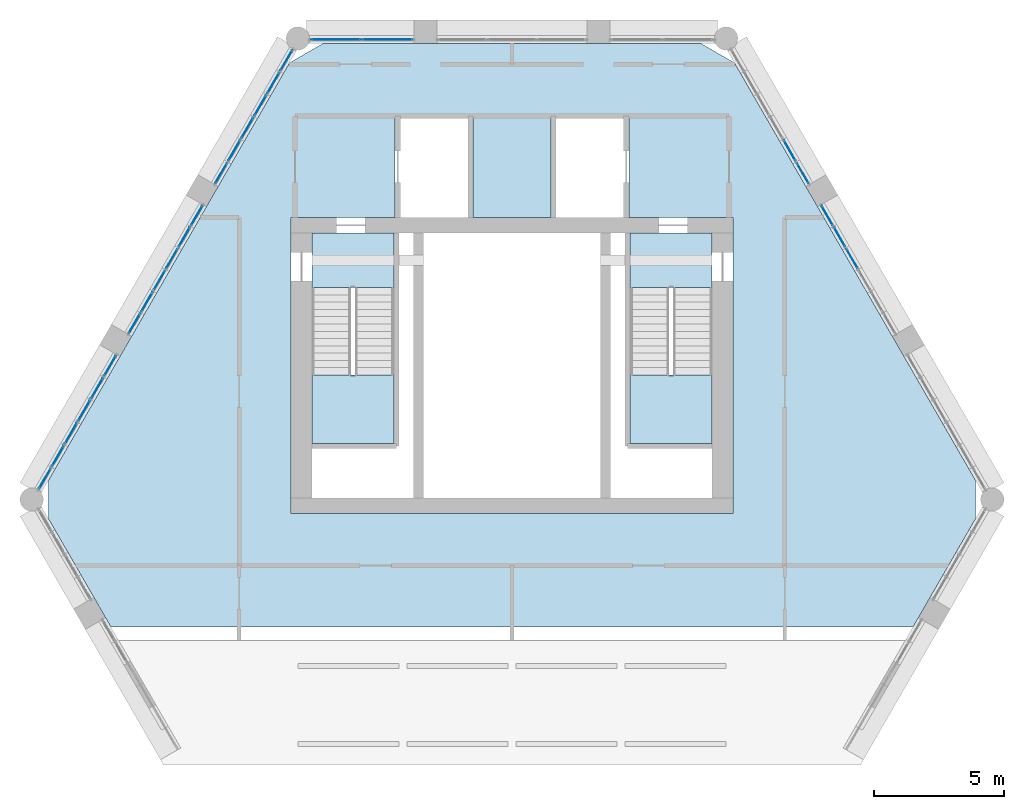
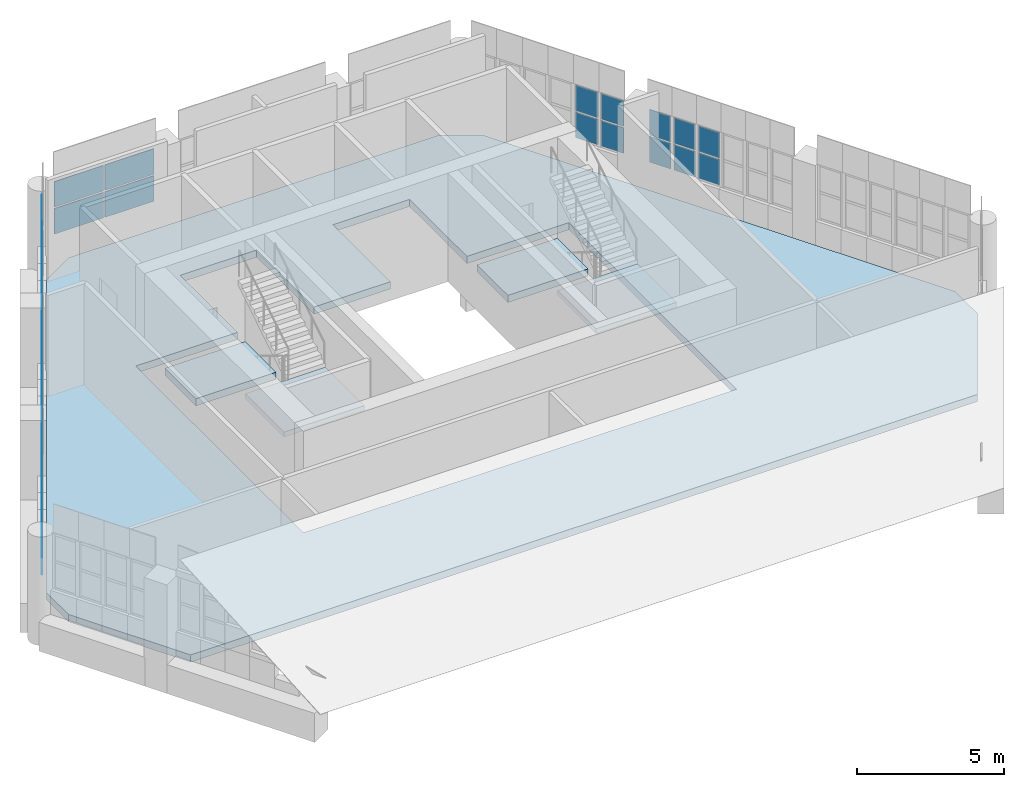
# One storey, part 16 of 23: 50 plates, 5 slabs, 26 elements without a shape of their own.
"""IFC4 building model written with IfcOpenShell, lengths in metres."""

from ifc_helpers import new_model, si_unit, direction, frame, origin, origin_2d, place, context, subcontext, project, spatial, polyline, rectangle, outline, extrude, material, layer, layer_set, type_object, element, aggregate, save


model = new_model("IFC4")

# Units and contexts
model_context = context("Model", 3, precision=1e-05, world=origin(), true_north=direction((0.0, 1.0)))
body_context = subcontext(model_context, "Body", "Model", "MODEL_VIEW")
ifc_project = project(units=[si_unit("LENGTHUNIT", "METRE"), si_unit("AREAUNIT", "SQUARE_METRE"), si_unit("VOLUMEUNIT", "CUBIC_METRE"), si_unit("PLANEANGLEUNIT", "RADIAN"), si_unit("MASSUNIT", "GRAM", prefix="KILO")], contexts=[model_context])

# Site, building, storey
site_placement = place(None, origin())
site = spatial("IfcSite", under=ifc_project, at=site_placement, CompositionType="ELEMENT")
building_placement = place(site_placement, origin())
building = spatial("IfcBuilding", under=site, at=building_placement, Name="Ostrander Bayou Hotel Tower", CompositionType="ELEMENT")
storey_placement = place(building_placement, frame((0.0, 0.0, 279.5)))
storey = spatial("IfcBuildingStorey", under=building, at=storey_placement, Name="L69", CompositionType="ELEMENT", Elevation=279.5)

# Curtain wall, plates
ifc_material_1 = material(Name="Aluminium and clear glass", Category="aluminium")
curtain_wall_type = type_object("IfcCurtainWallType", Name="CW-CROWN glazed wall", PredefinedType="NOTDEFINED", material=ifc_material_1)
curtain_wall_1_placement = place(storey_placement, origin())
curtain_wall_1 = element("IfcCurtainWall", 1, at=curtain_wall_1_placement, inside=storey, type_object=curtain_wall_type, Name="CW-CROWN L69:N-3", PredefinedType="NOTDEFINED")
ifc_material_2 = material(Name="Clear laminated glass", Category="glass")
ifc_layer_1 = layer(ifc_material_2, 0.028076171875)
ifc_layer_set_1 = layer_set([ifc_layer_1], Name="CW-CR glazing panel 28 mm")
plate_type = type_object("IfcPlateType", Name="CW-CR glazing panel 28 mm", PredefinedType="CURTAIN_PANEL", material=ifc_layer_set_1)
plate_1_placement = place(storey_placement, frame((-4.798583984375, 16.550048828125, 1.06005859375), z_axis=(0.0, 0.0, 1.0), x_axis=(-1.0, 0.0, 0.0)))
plate_1 = element("IfcPlate", 2, at=plate_1_placement, type_object=plate_type, Name="CW-CROWN panel 1.1", PredefinedType="CURTAIN_PANEL", context=body_context, shape_type="SweptSolid", body=[
    extrude(rectangle(XDim=1.918212890625, YDim=0.028076171875, at=origin_2d()), origin(), (0.0, 0.0, 1.0), 1.06005859375),
])
plate_2_placement = place(storey_placement, frame((-4.798583984375, 16.550048828125, 2.179931640625), z_axis=(0.0, 0.0, 1.0), x_axis=(-1.0, 0.0, 0.0)))
plate_2 = element("IfcPlate", 3, at=plate_2_placement, type_object=plate_type, Name="CW-CROWN panel 1.2", PredefinedType="CURTAIN_PANEL", context=body_context, shape_type="SweptSolid", body=[
    extrude(rectangle(XDim=1.918212890625, YDim=0.028076171875, at=origin_2d()), origin(), (0.0, 0.0, 1.0), 1.06005859375),
])
plate_3_placement = place(storey_placement, frame((-6.77685546875, 16.550048828125, 1.06005859375), z_axis=(0.0, 0.0, 1.0), x_axis=(-1.0, 0.0, 0.0)))
plate_3 = element("IfcPlate", 4, at=plate_3_placement, type_object=plate_type, Name="CW-CROWN panel 2.1", PredefinedType="CURTAIN_PANEL", context=body_context, shape_type="SweptSolid", body=[
    extrude(rectangle(XDim=1.918212890625, YDim=0.028076171875, at=origin_2d()), origin(), (0.0, 0.0, 1.0), 1.06005859375),
])
plate_4_placement = place(storey_placement, frame((-6.77685546875, 16.550048828125, 2.179931640625), z_axis=(0.0, 0.0, 1.0), x_axis=(-1.0, 0.0, 0.0)))
plate_4 = element("IfcPlate", 5, at=plate_4_placement, type_object=plate_type, Name="CW-CROWN panel 2.2", PredefinedType="CURTAIN_PANEL", context=body_context, shape_type="SweptSolid", body=[
    extrude(rectangle(XDim=1.918212890625, YDim=0.028076171875, at=origin_2d()), origin(), (0.0, 0.0, 1.0), 1.06005859375),
])
aggregate(curtain_wall_1, [plate_1, plate_2, plate_3, plate_4])

curtain_wall_2_placement = place(storey_placement, origin())
curtain_wall_2 = element("IfcCurtainWall", 6, at=curtain_wall_2_placement, inside=storey, type_object=curtain_wall_type, Name="CW-CROWN L69:NW-1-1", PredefinedType="NOTDEFINED")
plate_5_placement = place(storey_placement, frame((-8.682861328125, 15.748046875, 1.06005859375), z_axis=(0.0, 0.0, 1.0), x_axis=(-0.499998569184, -0.866026229865, 0.0)))
plate_5 = element("IfcPlate", 7, at=plate_5_placement, type_object=plate_type, Name="CW-CROWN panel 1.1", PredefinedType="CURTAIN_PANEL", context=body_context, shape_type="SweptSolid", body=[
    extrude(rectangle(XDim=0.88330078125, YDim=0.028076171875, at=origin_2d()), origin(), (0.0, 0.0, 1.0), 1.06005859375),
])
plate_6_placement = place(storey_placement, frame((-8.682861328125, 15.748046875, 2.179931640625), z_axis=(0.0, 0.0, 1.0), x_axis=(-0.499998569184, -0.866026229865, 0.0)))
plate_6 = element("IfcPlate", 8, at=plate_6_placement, type_object=plate_type, Name="CW-CROWN panel 1.2", PredefinedType="CURTAIN_PANEL", context=body_context, shape_type="SweptSolid", body=[
    extrude(rectangle(XDim=0.88330078125, YDim=0.028076171875, at=origin_2d()), origin(), (0.0, 0.0, 1.0), 1.06005859375),
])
aggregate(curtain_wall_2, [plate_5, plate_6])

curtain_wall_3_placement = place(storey_placement, origin())
curtain_wall_3 = element("IfcCurtainWall", 9, at=curtain_wall_3_placement, inside=storey, type_object=curtain_wall_type, Name="CW-CROWN L69:NW-1-2", PredefinedType="NOTDEFINED")
plate_7_placement = place(storey_placement, frame((-9.184326171875, 14.879150390625, 1.06005859375), z_axis=(0.0, 0.0, 1.0), x_axis=(-0.50004173523, -0.866001306597, 0.0)))
plate_7 = element("IfcPlate", 10, at=plate_7_placement, type_object=plate_type, Name="CW-CROWN panel 1.1", PredefinedType="CURTAIN_PANEL", context=body_context, shape_type="SweptSolid", body=[
    extrude(rectangle(XDim=0.883056640625, YDim=0.028076171875, at=origin_2d()), origin(), (0.0, 0.0, 1.0), 1.06005859375),
])
plate_8_placement = place(storey_placement, frame((-9.184326171875, 14.879150390625, 2.179931640625), z_axis=(0.0, 0.0, 1.0), x_axis=(-0.50004173523, -0.866001306597, 0.0)))
plate_8 = element("IfcPlate", 11, at=plate_8_placement, type_object=plate_type, Name="CW-CROWN panel 1.2", PredefinedType="CURTAIN_PANEL", context=body_context, shape_type="SweptSolid", body=[
    extrude(rectangle(XDim=0.883056640625, YDim=0.028076171875, at=origin_2d()), origin(), (0.0, 0.0, 1.0), 1.06005859375),
])
aggregate(curtain_wall_3, [plate_7, plate_8])

curtain_wall_4_placement = place(storey_placement, origin())
curtain_wall_4 = element("IfcCurtainWall", 12, at=curtain_wall_4_placement, inside=storey, type_object=curtain_wall_type, Name="CW-CROWN L69:NW-1-3", PredefinedType="NOTDEFINED")
plate_9_placement = place(storey_placement, frame((-9.68603515625, 14.010498046875, 1.06005859375), z_axis=(0.0, 0.0, 1.0), x_axis=(-0.499998569184, -0.866026229865, 0.0)))
plate_9 = element("IfcPlate", 13, at=plate_9_placement, type_object=plate_type, Name="CW-CROWN panel 1.1", PredefinedType="CURTAIN_PANEL", context=body_context, shape_type="SweptSolid", body=[
    extrude(rectangle(XDim=0.88330078125, YDim=0.028076171875, at=origin_2d()), origin(), (0.0, 0.0, 1.0), 1.06005859375),
])
plate_10_placement = place(storey_placement, frame((-9.68603515625, 14.010498046875, 2.179931640625), z_axis=(0.0, 0.0, 1.0), x_axis=(-0.499998569184, -0.866026229865, 0.0)))
plate_10 = element("IfcPlate", 14, at=plate_10_placement, type_object=plate_type, Name="CW-CROWN panel 1.2", PredefinedType="CURTAIN_PANEL", context=body_context, shape_type="SweptSolid", body=[
    extrude(rectangle(XDim=0.88330078125, YDim=0.028076171875, at=origin_2d()), origin(), (0.0, 0.0, 1.0), 1.06005859375),
])
aggregate(curtain_wall_4, [plate_9, plate_10])

curtain_wall_5_placement = place(storey_placement, origin())
curtain_wall_5 = element("IfcCurtainWall", 15, at=curtain_wall_5_placement, inside=storey, type_object=curtain_wall_type, Name="CW-CROWN L69:NW-1-4", PredefinedType="NOTDEFINED")
plate_11_placement = place(storey_placement, frame((-10.1875, 13.1416015625, 1.06005859375), z_axis=(0.0, 0.0, 1.0), x_axis=(-0.499923802893, -0.866069391736, 0.0)))
plate_11 = element("IfcPlate", 16, at=plate_11_placement, type_object=plate_type, Name="CW-CROWN panel 1.1", PredefinedType="CURTAIN_PANEL", context=body_context, shape_type="SweptSolid", body=[
    extrude(rectangle(XDim=0.883056640625, YDim=0.028076171875, at=origin_2d()), origin(), (0.0, 0.0, 1.0), 1.06005859375),
])
plate_12_placement = place(storey_placement, frame((-10.1875, 13.1416015625, 2.179931640625), z_axis=(0.0, 0.0, 1.0), x_axis=(-0.499923802893, -0.866069391736, 0.0)))
plate_12 = element("IfcPlate", 17, at=plate_12_placement, type_object=plate_type, Name="CW-CROWN panel 1.2", PredefinedType="CURTAIN_PANEL", context=body_context, shape_type="SweptSolid", body=[
    extrude(rectangle(XDim=0.883056640625, YDim=0.028076171875, at=origin_2d()), origin(), (0.0, 0.0, 1.0), 1.06005859375),
])
aggregate(curtain_wall_5, [plate_11, plate_12])

curtain_wall_6_placement = place(storey_placement, origin())
curtain_wall_6 = element("IfcCurtainWall", 18, at=curtain_wall_6_placement, inside=storey, type_object=curtain_wall_type, Name="CW-CROWN L69:NW-1-5", PredefinedType="NOTDEFINED")
plate_13_placement = place(storey_placement, frame((-10.689208984375, 12.27294921875, 1.06005859375), z_axis=(0.0, 0.0, 1.0), x_axis=(-0.50004173523, -0.866001306597, 0.0)))
plate_13 = element("IfcPlate", 19, at=plate_13_placement, type_object=plate_type, Name="CW-CROWN panel 1.1", PredefinedType="CURTAIN_PANEL", context=body_context, shape_type="SweptSolid", body=[
    extrude(rectangle(XDim=0.883056640625, YDim=0.028076171875, at=origin_2d()), origin(), (0.0, 0.0, 1.0), 1.06005859375),
])
plate_14_placement = place(storey_placement, frame((-10.689208984375, 12.27294921875, 2.179931640625), z_axis=(0.0, 0.0, 1.0), x_axis=(-0.50004173523, -0.866001306597, 0.0)))
plate_14 = element("IfcPlate", 20, at=plate_14_placement, type_object=plate_type, Name="CW-CROWN panel 1.2", PredefinedType="CURTAIN_PANEL", context=body_context, shape_type="SweptSolid", body=[
    extrude(rectangle(XDim=0.883056640625, YDim=0.028076171875, at=origin_2d()), origin(), (0.0, 0.0, 1.0), 1.06005859375),
])
aggregate(curtain_wall_6, [plate_13, plate_14])

curtain_wall_7_placement = place(storey_placement, origin())
curtain_wall_7 = element("IfcCurtainWall", 21, at=curtain_wall_7_placement, inside=storey, type_object=curtain_wall_type, Name="CW-CROWN L69:NW-1-6", PredefinedType="NOTDEFINED")
plate_15_placement = place(storey_placement, frame((-11.190673828125, 11.404296875, 1.06005859375), z_axis=(0.0, 0.0, 1.0), x_axis=(-0.499998569184, -0.866026229865, 0.0)))
plate_15 = element("IfcPlate", 22, at=plate_15_placement, type_object=plate_type, Name="CW-CROWN panel 1.1", PredefinedType="CURTAIN_PANEL", context=body_context, shape_type="SweptSolid", body=[
    extrude(rectangle(XDim=0.88330078125, YDim=0.028076171875, at=origin_2d()), origin(), (0.0, 0.0, 1.0), 1.06005859375),
])
plate_16_placement = place(storey_placement, frame((-11.190673828125, 11.404296875, 2.179931640625), z_axis=(0.0, 0.0, 1.0), x_axis=(-0.499998569184, -0.866026229865, 0.0)))
plate_16 = element("IfcPlate", 23, at=plate_16_placement, type_object=plate_type, Name="CW-CROWN panel 1.2", PredefinedType="CURTAIN_PANEL", context=body_context, shape_type="SweptSolid", body=[
    extrude(rectangle(XDim=0.88330078125, YDim=0.028076171875, at=origin_2d()), origin(), (0.0, 0.0, 1.0), 1.06005859375),
])
aggregate(curtain_wall_7, [plate_15, plate_16])

curtain_wall_8_placement = place(storey_placement, origin())
curtain_wall_8 = element("IfcCurtainWall", 24, at=curtain_wall_8_placement, inside=storey, type_object=curtain_wall_type, Name="CW-CROWN L69:NW-2-1", PredefinedType="NOTDEFINED")
plate_17_placement = place(storey_placement, frame((-12.13134765625, 9.77490234375, 1.06005859375), z_axis=(0.0, 0.0, 1.0), x_axis=(-0.500005045044, -0.866022491007, 0.0)))
plate_17 = element("IfcPlate", 25, at=plate_17_placement, type_object=plate_type, Name="CW-CROWN panel 1.1", PredefinedType="CURTAIN_PANEL", context=body_context, shape_type="SweptSolid", body=[
    extrude(rectangle(XDim=0.83984375, YDim=0.028076171875, at=origin_2d()), origin(), (0.0, 0.0, 1.0), 1.06005859375),
])
plate_18_placement = place(storey_placement, frame((-12.13134765625, 9.77490234375, 2.179931640625), z_axis=(0.0, 0.0, 1.0), x_axis=(-0.500005045044, -0.866022491007, 0.0)))
plate_18 = element("IfcPlate", 26, at=plate_18_placement, type_object=plate_type, Name="CW-CROWN panel 1.2", PredefinedType="CURTAIN_PANEL", context=body_context, shape_type="SweptSolid", body=[
    extrude(rectangle(XDim=0.83984375, YDim=0.028076171875, at=origin_2d()), origin(), (0.0, 0.0, 1.0), 1.06005859375),
])
aggregate(curtain_wall_8, [plate_17, plate_18])

curtain_wall_9_placement = place(storey_placement, origin())
curtain_wall_9 = element("IfcCurtainWall", 27, at=curtain_wall_9_placement, inside=storey, type_object=curtain_wall_type, Name="CW-CROWN L69:NW-2-2", PredefinedType="NOTDEFINED")
plate_19_placement = place(storey_placement, frame((-12.611328125, 8.943603515625, 1.06005859375), z_axis=(0.0, 0.0, 1.0), x_axis=(-0.500005045044, -0.866022491007, 0.0)))
plate_19 = element("IfcPlate", 28, at=plate_19_placement, type_object=plate_type, Name="CW-CROWN panel 1.1", PredefinedType="CURTAIN_PANEL", context=body_context, shape_type="SweptSolid", body=[
    extrude(rectangle(XDim=0.83984375, YDim=0.028076171875, at=origin_2d()), origin(), (0.0, 0.0, 1.0), 1.06005859375),
])
plate_20_placement = place(storey_placement, frame((-12.611328125, 8.943603515625, 2.179931640625), z_axis=(0.0, 0.0, 1.0), x_axis=(-0.500005045044, -0.866022491007, 0.0)))
plate_20 = element("IfcPlate", 29, at=plate_20_placement, type_object=plate_type, Name="CW-CROWN panel 1.2", PredefinedType="CURTAIN_PANEL", context=body_context, shape_type="SweptSolid", body=[
    extrude(rectangle(XDim=0.83984375, YDim=0.028076171875, at=origin_2d()), origin(), (0.0, 0.0, 1.0), 1.06005859375),
])
aggregate(curtain_wall_9, [plate_19, plate_20])

curtain_wall_10_placement = place(storey_placement, origin())
curtain_wall_10 = element("IfcCurtainWall", 30, at=curtain_wall_10_placement, inside=storey, type_object=curtain_wall_type, Name="CW-CROWN L69:NW-2-3", PredefinedType="NOTDEFINED")
plate_21_placement = place(storey_placement, frame((-13.09130859375, 8.1123046875, 1.06005859375), z_axis=(0.0, 0.0, 1.0), x_axis=(-0.500005045044, -0.866022491007, 0.0)))
plate_21 = element("IfcPlate", 31, at=plate_21_placement, type_object=plate_type, Name="CW-CROWN panel 1.1", PredefinedType="CURTAIN_PANEL", context=body_context, shape_type="SweptSolid", body=[
    extrude(rectangle(XDim=0.83984375, YDim=0.028076171875, at=origin_2d()), origin(), (0.0, 0.0, 1.0), 1.06005859375),
])
plate_22_placement = place(storey_placement, frame((-13.09130859375, 8.1123046875, 2.179931640625), z_axis=(0.0, 0.0, 1.0), x_axis=(-0.500005045044, -0.866022491007, 0.0)))
plate_22 = element("IfcPlate", 32, at=plate_22_placement, type_object=plate_type, Name="CW-CROWN panel 1.2", PredefinedType="CURTAIN_PANEL", context=body_context, shape_type="SweptSolid", body=[
    extrude(rectangle(XDim=0.83984375, YDim=0.028076171875, at=origin_2d()), origin(), (0.0, 0.0, 1.0), 1.06005859375),
])
aggregate(curtain_wall_10, [plate_21, plate_22])

curtain_wall_11_placement = place(storey_placement, origin())
curtain_wall_11 = element("IfcCurtainWall", 33, at=curtain_wall_11_placement, inside=storey, type_object=curtain_wall_type, Name="CW-CROWN L69:NW-2-4", PredefinedType="NOTDEFINED")
plate_23_placement = place(storey_placement, frame((-13.571044921875, 7.28125, 1.06005859375), z_axis=(0.0, 0.0, 1.0), x_axis=(-0.499959932788, -0.866048535364, 0.0)))
plate_23 = element("IfcPlate", 34, at=plate_23_placement, type_object=plate_type, Name="CW-CROWN panel 1.1", PredefinedType="CURTAIN_PANEL", context=body_context, shape_type="SweptSolid", body=[
    extrude(rectangle(XDim=0.83984375, YDim=0.028076171875, at=origin_2d()), origin(), (0.0, 0.0, 1.0), 1.06005859375),
])
plate_24_placement = place(storey_placement, frame((-13.571044921875, 7.28125, 2.179931640625), z_axis=(0.0, 0.0, 1.0), x_axis=(-0.499959932788, -0.866048535364, 0.0)))
plate_24 = element("IfcPlate", 35, at=plate_24_placement, type_object=plate_type, Name="CW-CROWN panel 1.2", PredefinedType="CURTAIN_PANEL", context=body_context, shape_type="SweptSolid", body=[
    extrude(rectangle(XDim=0.83984375, YDim=0.028076171875, at=origin_2d()), origin(), (0.0, 0.0, 1.0), 1.06005859375),
])
aggregate(curtain_wall_11, [plate_23, plate_24])

curtain_wall_12_placement = place(storey_placement, origin())
curtain_wall_12 = element("IfcCurtainWall", 36, at=curtain_wall_12_placement, inside=storey, type_object=curtain_wall_type, Name="CW-CROWN L69:NW-2-5", PredefinedType="NOTDEFINED")
plate_25_placement = place(storey_placement, frame((-14.051025390625, 6.449951171875, 1.06005859375), z_axis=(0.0, 0.0, 1.0), x_axis=(-0.500005045044, -0.866022491007, 0.0)))
plate_25 = element("IfcPlate", 37, at=plate_25_placement, type_object=plate_type, Name="CW-CROWN panel 1.1", PredefinedType="CURTAIN_PANEL", context=body_context, shape_type="SweptSolid", body=[
    extrude(rectangle(XDim=0.83984375, YDim=0.028076171875, at=origin_2d()), origin(), (0.0, 0.0, 1.0), 1.06005859375),
])
plate_26_placement = place(storey_placement, frame((-14.051025390625, 6.449951171875, 2.179931640625), z_axis=(0.0, 0.0, 1.0), x_axis=(-0.500005045044, -0.866022491007, 0.0)))
plate_26 = element("IfcPlate", 38, at=plate_26_placement, type_object=plate_type, Name="CW-CROWN panel 1.2", PredefinedType="CURTAIN_PANEL", context=body_context, shape_type="SweptSolid", body=[
    extrude(rectangle(XDim=0.83984375, YDim=0.028076171875, at=origin_2d()), origin(), (0.0, 0.0, 1.0), 1.06005859375),
])
aggregate(curtain_wall_12, [plate_25, plate_26])

curtain_wall_13_placement = place(storey_placement, origin())
curtain_wall_13 = element("IfcCurtainWall", 39, at=curtain_wall_13_placement, inside=storey, type_object=curtain_wall_type, Name="CW-CROWN L69:NW-2-6", PredefinedType="NOTDEFINED")
plate_27_placement = place(storey_placement, frame((-14.531005859375, 5.61865234375, 1.06005859375), z_axis=(0.0, 0.0, 1.0), x_axis=(-0.500005045044, -0.866022491007, 0.0)))
plate_27 = element("IfcPlate", 40, at=plate_27_placement, type_object=plate_type, Name="CW-CROWN panel 1.1", PredefinedType="CURTAIN_PANEL", context=body_context, shape_type="SweptSolid", body=[
    extrude(rectangle(XDim=0.83984375, YDim=0.028076171875, at=origin_2d()), origin(), (0.0, 0.0, 1.0), 1.06005859375),
])
plate_28_placement = place(storey_placement, frame((-14.531005859375, 5.61865234375, 2.179931640625), z_axis=(0.0, 0.0, 1.0), x_axis=(-0.500005045044, -0.866022491007, 0.0)))
plate_28 = element("IfcPlate", 41, at=plate_28_placement, type_object=plate_type, Name="CW-CROWN panel 1.2", PredefinedType="CURTAIN_PANEL", context=body_context, shape_type="SweptSolid", body=[
    extrude(rectangle(XDim=0.83984375, YDim=0.028076171875, at=origin_2d()), origin(), (0.0, 0.0, 1.0), 1.06005859375),
])
aggregate(curtain_wall_13, [plate_27, plate_28])

curtain_wall_14_placement = place(storey_placement, origin())
curtain_wall_14 = element("IfcCurtainWall", 42, at=curtain_wall_14_placement, inside=storey, type_object=curtain_wall_type, Name="CW-CROWN L69:NW-3-1", PredefinedType="NOTDEFINED")
plate_29_placement = place(storey_placement, frame((-15.4716796875, 3.9892578125, 1.06005859375), z_axis=(0.0, 0.0, 1.0), x_axis=(-0.499966966783, -0.866044474681, 0.0)))
plate_29 = element("IfcPlate", 43, at=plate_29_placement, type_object=plate_type, Name="CW-CROWN panel 1.1", PredefinedType="CURTAIN_PANEL", context=body_context, shape_type="SweptSolid", body=[
    extrude(rectangle(XDim=0.883056640625, YDim=0.028076171875, at=origin_2d()), origin(), (0.0, 0.0, 1.0), 1.06005859375),
])
plate_30_placement = place(storey_placement, frame((-15.4716796875, 3.9892578125, 2.179931640625), z_axis=(0.0, 0.0, 1.0), x_axis=(-0.499966966783, -0.866044474681, 0.0)))
plate_30 = element("IfcPlate", 44, at=plate_30_placement, type_object=plate_type, Name="CW-CROWN panel 1.2", PredefinedType="CURTAIN_PANEL", context=body_context, shape_type="SweptSolid", body=[
    extrude(rectangle(XDim=0.883056640625, YDim=0.028076171875, at=origin_2d()), origin(), (0.0, 0.0, 1.0), 1.06005859375),
])
aggregate(curtain_wall_14, [plate_29, plate_30])

curtain_wall_15_placement = place(storey_placement, origin())
curtain_wall_15 = element("IfcCurtainWall", 45, at=curtain_wall_15_placement, inside=storey, type_object=curtain_wall_type, Name="CW-CROWN L69:NW-3-2", PredefinedType="NOTDEFINED")
plate_31_placement = place(storey_placement, frame((-15.97314453125, 3.12060546875, 1.06005859375), z_axis=(0.0, 0.0, 1.0), x_axis=(-0.50004173523, -0.866001306597, 0.0)))
plate_31 = element("IfcPlate", 46, at=plate_31_placement, type_object=plate_type, Name="CW-CROWN panel 1.1", PredefinedType="CURTAIN_PANEL", context=body_context, shape_type="SweptSolid", body=[
    extrude(rectangle(XDim=0.883056640625, YDim=0.028076171875, at=origin_2d()), origin(), (0.0, 0.0, 1.0), 1.06005859375),
])
plate_32_placement = place(storey_placement, frame((-15.97314453125, 3.12060546875, 2.179931640625), z_axis=(0.0, 0.0, 1.0), x_axis=(-0.50004173523, -0.866001306597, 0.0)))
plate_32 = element("IfcPlate", 47, at=plate_32_placement, type_object=plate_type, Name="CW-CROWN panel 1.2", PredefinedType="CURTAIN_PANEL", context=body_context, shape_type="SweptSolid", body=[
    extrude(rectangle(XDim=0.883056640625, YDim=0.028076171875, at=origin_2d()), origin(), (0.0, 0.0, 1.0), 1.06005859375),
])
aggregate(curtain_wall_15, [plate_31, plate_32])

curtain_wall_16_placement = place(storey_placement, origin())
curtain_wall_16 = element("IfcCurtainWall", 48, at=curtain_wall_16_placement, inside=storey, type_object=curtain_wall_type, Name="CW-CROWN L69:NW-3-3", PredefinedType="NOTDEFINED")
plate_33_placement = place(storey_placement, frame((-16.474853515625, 2.251953125, 1.06005859375), z_axis=(0.0, 0.0, 1.0), x_axis=(-0.500010136897, -0.866019551165, 0.0)))
plate_33 = element("IfcPlate", 49, at=plate_33_placement, type_object=plate_type, Name="CW-CROWN panel 1.1", PredefinedType="CURTAIN_PANEL", context=body_context, shape_type="SweptSolid", body=[
    extrude(rectangle(XDim=0.883056640625, YDim=0.028076171875, at=origin_2d()), origin(), (0.0, 0.0, 1.0), 1.06005859375),
])
plate_34_placement = place(storey_placement, frame((-16.474853515625, 2.251953125, 2.179931640625), z_axis=(0.0, 0.0, 1.0), x_axis=(-0.500010136897, -0.866019551165, 0.0)))
plate_34 = element("IfcPlate", 50, at=plate_34_placement, type_object=plate_type, Name="CW-CROWN panel 1.2", PredefinedType="CURTAIN_PANEL", context=body_context, shape_type="SweptSolid", body=[
    extrude(rectangle(XDim=0.883056640625, YDim=0.028076171875, at=origin_2d()), origin(), (0.0, 0.0, 1.0), 1.06005859375),
])
aggregate(curtain_wall_16, [plate_33, plate_34])

curtain_wall_17_placement = place(storey_placement, origin())
curtain_wall_17 = element("IfcCurtainWall", 51, at=curtain_wall_17_placement, inside=storey, type_object=curtain_wall_type, Name="CW-CROWN L69:NW-3-4", PredefinedType="NOTDEFINED")
plate_35_placement = place(storey_placement, frame((-16.976318359375, 1.38330078125, 1.06005859375), z_axis=(0.0, 0.0, 1.0), x_axis=(-0.499966966783, -0.866044474681, 0.0)))
plate_35 = element("IfcPlate", 52, at=plate_35_placement, type_object=plate_type, Name="CW-CROWN panel 1.1", PredefinedType="CURTAIN_PANEL", context=body_context, shape_type="SweptSolid", body=[
    extrude(rectangle(XDim=0.883056640625, YDim=0.028076171875, at=origin_2d()), origin(), (0.0, 0.0, 1.0), 1.06005859375),
])
plate_36_placement = place(storey_placement, frame((-16.976318359375, 1.38330078125, 2.179931640625), z_axis=(0.0, 0.0, 1.0), x_axis=(-0.499966966783, -0.866044474681, 0.0)))
plate_36 = element("IfcPlate", 53, at=plate_36_placement, type_object=plate_type, Name="CW-CROWN panel 1.2", PredefinedType="CURTAIN_PANEL", context=body_context, shape_type="SweptSolid", body=[
    extrude(rectangle(XDim=0.883056640625, YDim=0.028076171875, at=origin_2d()), origin(), (0.0, 0.0, 1.0), 1.06005859375),
])
aggregate(curtain_wall_17, [plate_35, plate_36])

curtain_wall_18_placement = place(storey_placement, origin())
curtain_wall_18 = element("IfcCurtainWall", 54, at=curtain_wall_18_placement, inside=storey, type_object=curtain_wall_type, Name="CW-CROWN L69:NW-3-5", PredefinedType="NOTDEFINED")
plate_37_placement = place(storey_placement, frame((-17.477783203125, 0.5146484375, 1.06005859375), z_axis=(0.0, 0.0, 1.0), x_axis=(-0.499966966783, -0.866044474681, 0.0)))
plate_37 = element("IfcPlate", 55, at=plate_37_placement, type_object=plate_type, Name="CW-CROWN panel 1.1", PredefinedType="CURTAIN_PANEL", context=body_context, shape_type="SweptSolid", body=[
    extrude(rectangle(XDim=0.883056640625, YDim=0.028076171875, at=origin_2d()), origin(), (0.0, 0.0, 1.0), 1.06005859375),
])
plate_38_placement = place(storey_placement, frame((-17.477783203125, 0.5146484375, 2.179931640625), z_axis=(0.0, 0.0, 1.0), x_axis=(-0.499966966783, -0.866044474681, 0.0)))
plate_38 = element("IfcPlate", 56, at=plate_38_placement, type_object=plate_type, Name="CW-CROWN panel 1.2", PredefinedType="CURTAIN_PANEL", context=body_context, shape_type="SweptSolid", body=[
    extrude(rectangle(XDim=0.883056640625, YDim=0.028076171875, at=origin_2d()), origin(), (0.0, 0.0, 1.0), 1.06005859375),
])
aggregate(curtain_wall_18, [plate_37, plate_38])

curtain_wall_19_placement = place(storey_placement, origin())
curtain_wall_19 = element("IfcCurtainWall", 57, at=curtain_wall_19_placement, inside=storey, type_object=curtain_wall_type, Name="CW-CROWN L69:NW-3-6", PredefinedType="NOTDEFINED")
plate_39_placement = place(storey_placement, frame((-17.979248046875, -0.35400390625, 1.06005859375), z_axis=(0.0, 0.0, 1.0), x_axis=(-0.500084907485, -0.865976376875, 0.0)))
plate_39 = element("IfcPlate", 58, at=plate_39_placement, type_object=plate_type, Name="CW-CROWN panel 1.1", PredefinedType="CURTAIN_PANEL", context=body_context, shape_type="SweptSolid", body=[
    extrude(rectangle(XDim=0.883056640625, YDim=0.028076171875, at=origin_2d()), origin(), (0.0, 0.0, 1.0), 1.06005859375),
])
plate_40_placement = place(storey_placement, frame((-17.979248046875, -0.35400390625, 2.179931640625), z_axis=(0.0, 0.0, 1.0), x_axis=(-0.500084907485, -0.865976376875, 0.0)))
plate_40 = element("IfcPlate", 59, at=plate_40_placement, type_object=plate_type, Name="CW-CROWN panel 1.2", PredefinedType="CURTAIN_PANEL", context=body_context, shape_type="SweptSolid", body=[
    extrude(rectangle(XDim=0.883056640625, YDim=0.028076171875, at=origin_2d()), origin(), (0.0, 0.0, 1.0), 1.06005859375),
])
aggregate(curtain_wall_19, [plate_39, plate_40])

curtain_wall_20_placement = place(storey_placement, origin())
curtain_wall_20 = element("IfcCurtainWall", 60, at=curtain_wall_20_placement, inside=storey, type_object=curtain_wall_type, Name="CW-CROWN L69:NE-2-4", PredefinedType="NOTDEFINED")
plate_41_placement = place(storey_placement, frame((13.09130859375, 8.1123046875, 1.06005859375), z_axis=(0.0, 0.0, 1.0), x_axis=(-0.500005045044, 0.866022491007, 0.0)))
plate_41 = element("IfcPlate", 61, at=plate_41_placement, type_object=plate_type, Name="CW-CROWN panel 1.1", PredefinedType="CURTAIN_PANEL", context=body_context, shape_type="SweptSolid", body=[
    extrude(rectangle(XDim=0.83984375, YDim=0.028076171875, at=origin_2d()), origin(), (0.0, 0.0, 1.0), 1.06005859375),
])
plate_42_placement = place(storey_placement, frame((13.09130859375, 8.1123046875, 2.179931640625), z_axis=(0.0, 0.0, 1.0), x_axis=(-0.500005045044, 0.866022491007, 0.0)))
plate_42 = element("IfcPlate", 62, at=plate_42_placement, type_object=plate_type, Name="CW-CROWN panel 1.2", PredefinedType="CURTAIN_PANEL", context=body_context, shape_type="SweptSolid", body=[
    extrude(rectangle(XDim=0.83984375, YDim=0.028076171875, at=origin_2d()), origin(), (0.0, 0.0, 1.0), 1.06005859375),
])
aggregate(curtain_wall_20, [plate_41, plate_42])

curtain_wall_21_placement = place(storey_placement, origin())
curtain_wall_21 = element("IfcCurtainWall", 63, at=curtain_wall_21_placement, inside=storey, type_object=curtain_wall_type, Name="CW-CROWN L69:NE-2-5", PredefinedType="NOTDEFINED")
plate_43_placement = place(storey_placement, frame((12.611328125, 8.943603515625, 1.06005859375), z_axis=(0.0, 0.0, 1.0), x_axis=(-0.500005045044, 0.866022491007, 0.0)))
plate_43 = element("IfcPlate", 64, at=plate_43_placement, type_object=plate_type, Name="CW-CROWN panel 1.1", PredefinedType="CURTAIN_PANEL", context=body_context, shape_type="SweptSolid", body=[
    extrude(rectangle(XDim=0.83984375, YDim=0.028076171875, at=origin_2d()), origin(), (0.0, 0.0, 1.0), 1.06005859375),
])
plate_44_placement = place(storey_placement, frame((12.611328125, 8.943603515625, 2.179931640625), z_axis=(0.0, 0.0, 1.0), x_axis=(-0.500005045044, 0.866022491007, 0.0)))
plate_44 = element("IfcPlate", 65, at=plate_44_placement, type_object=plate_type, Name="CW-CROWN panel 1.2", PredefinedType="CURTAIN_PANEL", context=body_context, shape_type="SweptSolid", body=[
    extrude(rectangle(XDim=0.83984375, YDim=0.028076171875, at=origin_2d()), origin(), (0.0, 0.0, 1.0), 1.06005859375),
])
aggregate(curtain_wall_21, [plate_43, plate_44])

curtain_wall_22_placement = place(storey_placement, origin())
curtain_wall_22 = element("IfcCurtainWall", 66, at=curtain_wall_22_placement, inside=storey, type_object=curtain_wall_type, Name="CW-CROWN L69:NE-2-6", PredefinedType="NOTDEFINED")
plate_45_placement = place(storey_placement, frame((12.13134765625, 9.77490234375, 1.06005859375), z_axis=(0.0, 0.0, 1.0), x_axis=(-0.500005045044, 0.866022491007, 0.0)))
plate_45 = element("IfcPlate", 67, at=plate_45_placement, type_object=plate_type, Name="CW-CROWN panel 1.1", PredefinedType="CURTAIN_PANEL", context=body_context, shape_type="SweptSolid", body=[
    extrude(rectangle(XDim=0.83984375, YDim=0.028076171875, at=origin_2d()), origin(), (0.0, 0.0, 1.0), 1.06005859375),
])
plate_46_placement = place(storey_placement, frame((12.13134765625, 9.77490234375, 2.179931640625), z_axis=(0.0, 0.0, 1.0), x_axis=(-0.500005045044, 0.866022491007, 0.0)))
plate_46 = element("IfcPlate", 68, at=plate_46_placement, type_object=plate_type, Name="CW-CROWN panel 1.2", PredefinedType="CURTAIN_PANEL", context=body_context, shape_type="SweptSolid", body=[
    extrude(rectangle(XDim=0.83984375, YDim=0.028076171875, at=origin_2d()), origin(), (0.0, 0.0, 1.0), 1.06005859375),
])
aggregate(curtain_wall_22, [plate_45, plate_46])

curtain_wall_23_placement = place(storey_placement, origin())
curtain_wall_23 = element("IfcCurtainWall", 69, at=curtain_wall_23_placement, inside=storey, type_object=curtain_wall_type, Name="CW-CROWN L69:NE-3-1", PredefinedType="NOTDEFINED")
plate_47_placement = place(storey_placement, frame((11.190673828125, 11.404296875, 1.06005859375), z_axis=(0.0, 0.0, 1.0), x_axis=(-0.499998569184, 0.866026229865, 0.0)))
plate_47 = element("IfcPlate", 70, at=plate_47_placement, type_object=plate_type, Name="CW-CROWN panel 1.1", PredefinedType="CURTAIN_PANEL", context=body_context, shape_type="SweptSolid", body=[
    extrude(rectangle(XDim=0.88330078125, YDim=0.028076171875, at=origin_2d()), origin(), (0.0, 0.0, 1.0), 1.06005859375),
])
plate_48_placement = place(storey_placement, frame((11.190673828125, 11.404296875, 2.179931640625), z_axis=(0.0, 0.0, 1.0), x_axis=(-0.499998569184, 0.866026229865, 0.0)))
plate_48 = element("IfcPlate", 71, at=plate_48_placement, type_object=plate_type, Name="CW-CROWN panel 1.2", PredefinedType="CURTAIN_PANEL", context=body_context, shape_type="SweptSolid", body=[
    extrude(rectangle(XDim=0.88330078125, YDim=0.028076171875, at=origin_2d()), origin(), (0.0, 0.0, 1.0), 1.06005859375),
])
aggregate(curtain_wall_23, [plate_47, plate_48])

curtain_wall_24_placement = place(storey_placement, origin())
curtain_wall_24 = element("IfcCurtainWall", 72, at=curtain_wall_24_placement, inside=storey, type_object=curtain_wall_type, Name="CW-CROWN L69:NE-3-2", PredefinedType="NOTDEFINED")
plate_49_placement = place(storey_placement, frame((10.689208984375, 12.27294921875, 1.06005859375), z_axis=(0.0, 0.0, 1.0), x_axis=(-0.50004173523, 0.866001306597, 0.0)))
plate_49 = element("IfcPlate", 73, at=plate_49_placement, type_object=plate_type, Name="CW-CROWN panel 1.1", PredefinedType="CURTAIN_PANEL", context=body_context, shape_type="SweptSolid", body=[
    extrude(rectangle(XDim=0.883056640625, YDim=0.028076171875, at=origin_2d()), origin(), (0.0, 0.0, 1.0), 1.06005859375),
])
plate_50_placement = place(storey_placement, frame((10.689208984375, 12.27294921875, 2.179931640625), z_axis=(0.0, 0.0, 1.0), x_axis=(-0.50004173523, 0.866001306597, 0.0)))
plate_50 = element("IfcPlate", 74, at=plate_50_placement, type_object=plate_type, Name="CW-CROWN panel 1.2", PredefinedType="CURTAIN_PANEL", context=body_context, shape_type="SweptSolid", body=[
    extrude(rectangle(XDim=0.883056640625, YDim=0.028076171875, at=origin_2d()), origin(), (0.0, 0.0, 1.0), 1.06005859375),
])
aggregate(curtain_wall_24, [plate_49, plate_50])

# Slabs
ifc_material_3 = material(Name="Concrete f'c 40 MPa", Category="concrete")
ifc_layer_2 = layer(ifc_material_3, 0.300048828125)
ifc_layer_set_2 = layer_set([ifc_layer_2], Name="SL1 floor slab 300 mm f'c 40 MPa")
slab_type_1 = type_object("IfcSlabType", Name="SL1 floor slab 300 mm f'c 40 MPa", PredefinedType="FLOOR", material=ifc_layer_set_2)
slab_1_placement = place(storey_placement, frame((0.0, 0.0, -0.300048828125)))
element("IfcSlab", 75, at=slab_1_placement, inside=storey, type_object=slab_type_1, Name="SL1 L69 1", PredefinedType="FLOOR", context=body_context, shape_type="SweptSolid", body=[
    extrude(outline(polyline([(17.83642578125, -0.406494140625), (17.83642578125, -1.906494140625), (15.43994140625, -6.057373046875), (-15.43994140625, -6.057373046875), (-17.83642578125, -1.906494140625), (-17.83642578125, -0.406494140625), (-8.566162109375, 15.64990234375), (-7.26708984375, 16.39990234375), (7.26708984375, 16.39990234375), (8.566162109375, 15.64990234375), (17.83642578125, -0.406494140625)]), holes=[polyline([(-8.5, -1.699951171875), (8.5, -1.699951171875), (8.5, 9.699951171875), (4.5, 9.699951171875), (4.5, 13.60009765625), (1.5, 13.60009765625), (1.5, 9.699951171875), (-1.5, 9.699951171875), (-1.5, 13.60009765625), (-4.5, 13.60009765625), (-4.5, 9.699951171875), (-8.5, 9.699951171875), (-8.5, -1.699951171875)])]), origin(), (0.0, 0.0, 1.0), 0.300048828125),
])
slab_2_placement = place(storey_placement, frame((0.0, 0.0, -0.300048828125)))
element("IfcSlab", 76, at=slab_2_placement, inside=storey, type_object=slab_type_1, Name="cslab:L69:001", PredefinedType="FLOOR", context=body_context, shape_type="SweptSolid", body=[
    extrude(outline(polyline([(-7.699951171875, 7.0), (-7.699951171875, 9.10009765625), (-4.550048828125, 9.10009765625), (-4.550048828125, 7.0), (-7.699951171875, 7.0)])), origin(), (0.0, 0.0, 1.0), 0.300048828125),
])
slab_3_placement = place(storey_placement, frame((0.0, 0.0, -0.300048828125)))
element("IfcSlab", 77, at=slab_3_placement, inside=storey, type_object=slab_type_1, Name="cslab:L69:002", PredefinedType="FLOOR", context=body_context, shape_type="SweptSolid", body=[
    extrude(outline(polyline([(4.550048828125, 7.0), (4.550048828125, 9.10009765625), (7.699951171875, 9.10009765625), (7.699951171875, 7.0), (4.550048828125, 7.0)])), origin(), (0.0, 0.0, 1.0), 0.300048828125),
])

# Stair, slab
ifc_material_4 = material(Name="Concrete f'c 45 MPa", Category="concrete")
stair_type = type_object("IfcStairType", Name="ST1 exit stair 1500 mm f'c 45 MPa", PredefinedType="HALF_TURN_STAIR", material=ifc_material_4)
stair_1_placement = place(storey_placement, origin())
stair_1 = element("IfcStair", 78, at=stair_1_placement, inside=storey, type_object=stair_type, Name="L69 exit stair A", PredefinedType="HALF_TURN_STAIR")
ifc_material_5 = material(Name="Concrete f'c 45 MPa", Category="concrete")
ifc_layer_3 = layer(ifc_material_5, 0.199951171875)
ifc_layer_set_3 = layer_set([ifc_layer_3], Name="SL8 stair landing 200 mm f'c 45 MPa")
slab_type_2 = type_object("IfcSlabType", Name="SL8 stair landing 200 mm f'c 45 MPa", PredefinedType="LANDING", material=ifc_layer_set_3)
slab_4_placement = place(storey_placement, frame((0.0, 0.0, 2.050048828125)))
slab_4 = element("IfcSlab", 79, at=slab_4_placement, type_object=slab_type_2, Name="STA landing 1", PredefinedType="LANDING", context=body_context, shape_type="SweptSolid", body=[
    extrude(outline(polyline([(-7.699951171875, 3.639892578125), (-7.699951171875, 1.0), (-4.550048828125, 1.0), (-4.550048828125, 3.639892578125), (-7.699951171875, 3.639892578125)])), origin(), (0.0, 0.0, 1.0), 0.199951171875),
])
aggregate(stair_1, [slab_4])

stair_2_placement = place(storey_placement, origin())
stair_2 = element("IfcStair", 80, at=stair_2_placement, inside=storey, type_object=stair_type, Name="L69 exit stair B", PredefinedType="HALF_TURN_STAIR")
slab_5_placement = place(storey_placement, frame((0.0, 0.0, 2.050048828125)))
slab_5 = element("IfcSlab", 81, at=slab_5_placement, type_object=slab_type_2, Name="STB landing 1", PredefinedType="LANDING", context=body_context, shape_type="SweptSolid", body=[
    extrude(outline(polyline([(4.550048828125, 3.639892578125), (4.550048828125, 1.0), (7.699951171875, 1.0), (7.699951171875, 3.639892578125), (4.550048828125, 3.639892578125)])), origin(), (0.0, 0.0, 1.0), 0.199951171875),
])
aggregate(stair_2, [slab_5])

save(model, "model.ifc")
